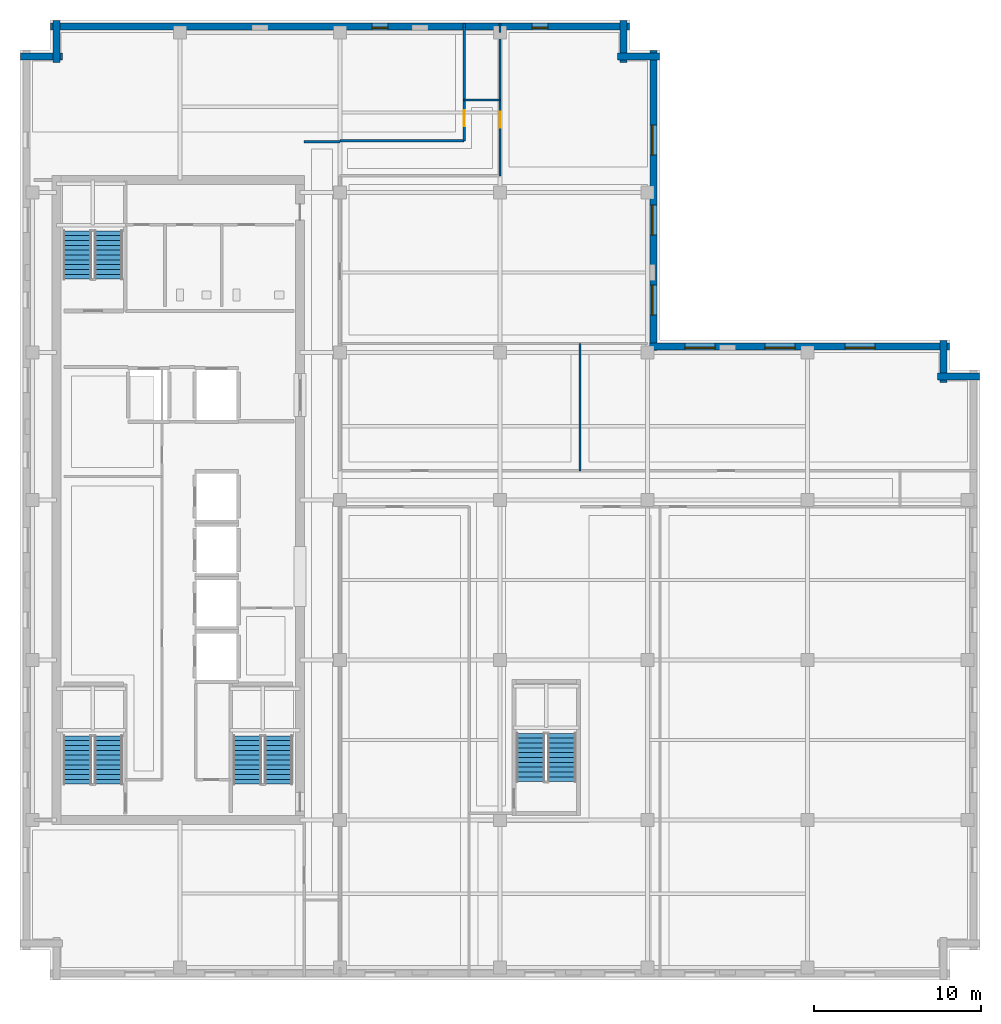
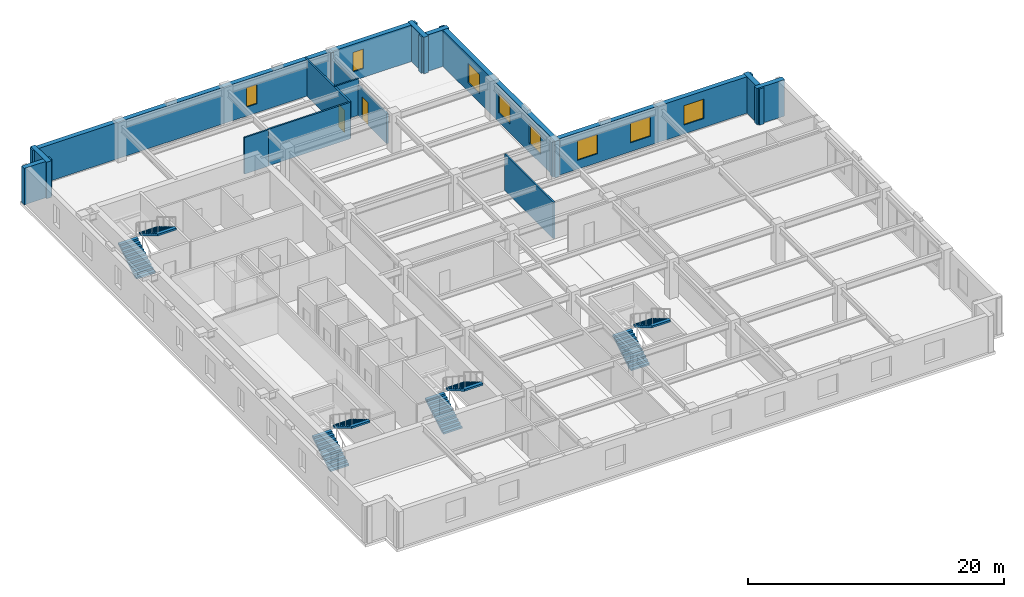
# One storey, part 6 of 11: 16 walls, 8 stair flights, 8 windows, 2 doors, 10 openings, 4 elements without a shape of their own.
"""IFC4 building model written with IfcOpenShell, lengths in metres."""

from ifc_helpers import new_model, si_unit, direction, frame, frame_2d, origin, place, context, subcontext, project, spatial, polyline, rectangle, outline, extrude, material, layer, layer_set, type_object, element, fill, aggregate, save


model = new_model("IFC4")

# Units and contexts
model_context = context("Model", 3, precision=1e-05, world=origin(), true_north=direction((0.0, 1.0)))
body_context = subcontext(model_context, "Body", "Model", "MODEL_VIEW")
ifc_project = project(units=[si_unit("LENGTHUNIT", "METRE"), si_unit("AREAUNIT", "SQUARE_METRE"), si_unit("VOLUMEUNIT", "CUBIC_METRE"), si_unit("PLANEANGLEUNIT", "RADIAN"), si_unit("MASSUNIT", "GRAM", prefix="KILO")], contexts=[model_context])

# Site, building, storey
site_placement = place(None, origin())
site = spatial("IfcSite", under=ifc_project, at=site_placement, CompositionType="ELEMENT")
building_placement = place(site_placement, origin())
building = spatial("IfcBuilding", under=site, at=building_placement, Name="Norrvale University Quadrangle", CompositionType="ELEMENT")
storey_placement = place(building_placement, frame((0.0, 0.0, 252.199951171875)))
storey = spatial("IfcBuildingStorey", under=building, at=storey_placement, Name="L64", CompositionType="ELEMENT", Elevation=252.199951171875)

# Walls
ifc_material_1 = material(Name="Buff Norman Clay Brick Masonry", Category="masonry")
ifc_layer_1 = layer(ifc_material_1, 0.419921875, Name="Buff Norman Clay Brick Masonry")
ifc_layer_set_1 = layer_set([ifc_layer_1], Name="Buff Norman Clay Brick Masonry")
wall_type_1 = type_object("IfcWallType", Name="Wall Buff Brick 420", PredefinedType="SOLIDWALL", material=ifc_layer_set_1)
for number, where, z_axis, x_axis, name in (
    (1, (57.56005859375, 36.2099609375, 0.0), (0.0, 0.0, 1.0), (-1.0, 0.0, 0.0), "Exterior Brick Facade Wall L64-05.1"),
    (2, (55.409912109375, 35.860107421875, 0.0), (0.0, 0.0, 1.0), (0.0, 1.0, 0.0), "Exterior Brick Facade Wall L64-06.1"),
):
    element("IfcWall", number, at=place(storey_placement, frame(where, z_axis=z_axis, x_axis=x_axis)), inside=storey, type_object=wall_type_1, Name=name, PredefinedType="SOLIDWALL", context=body_context, shape_type="SweptSolid", body=[
        extrude(rectangle(XDim=2.5, YDim=0.419921875, at=frame_2d((1.25, 0.0))), origin(), (0.0, 0.0, 1.0), 3.47998046875),
    ])

# Wall, openings, windows
wall_1_placement = place(storey_placement, frame((55.760009765625, 38.010009765625, 0.0), z_axis=(0.0, 0.0, 1.0), x_axis=(-1.0, 0.0, 0.0)))
wall_1 = element("IfcWall", 3, at=wall_1_placement, inside=storey, type_object=wall_type_1, Name="Exterior Brick Facade Wall L64-07.1", PredefinedType="SOLIDWALL", context=body_context, shape_type="SweptSolid", body=[
    extrude(rectangle(XDim=18.10009765625, YDim=0.419921875, at=frame_2d((9.050048828125, 0.0))), origin(), (0.0, 0.0, 1.0), 3.47998046875),
])
opening_1_placement = place(wall_1_placement, frame((4.4599609375, 0.0, 0.85009765625)))
opening_1 = element("IfcOpeningElement", 4, at=opening_1_placement, cuts=wall_1, Name="Opening W01", PredefinedType="OPENING", context=body_context, shape_type="SweptSolid", body=[
    extrude(rectangle(XDim=1.800048828125, YDim=1.85009765625, at=frame_2d((0.89990234375, 0.925048828125))), frame((0.0, 0.221923828125, 0.0), z_axis=(0.0, -1.0, 0.0), x_axis=(1.0, 0.0, 0.0)), (0.0, 0.0, 1.0), 0.44384765625),
])
opening_2_placement = place(wall_1_placement, frame((9.260009765625, 0.0, 0.85009765625)))
opening_2 = element("IfcOpeningElement", 5, at=opening_2_placement, cuts=wall_1, Name="Opening W01", PredefinedType="OPENING", context=body_context, shape_type="SweptSolid", body=[
    extrude(rectangle(XDim=1.800048828125, YDim=1.85009765625, at=frame_2d((0.89990234375, 0.925048828125))), frame((0.0, 0.221923828125, 0.0), z_axis=(0.0, -1.0, 0.0), x_axis=(1.0, 0.0, 0.0)), (0.0, 0.0, 1.0), 0.44384765625),
])
opening_3_placement = place(wall_1_placement, frame((14.06005859375, 0.0, 0.85009765625)))
opening_3 = element("IfcOpeningElement", 6, at=opening_3_placement, cuts=wall_1, Name="Opening W01", PredefinedType="OPENING", context=body_context, shape_type="SweptSolid", body=[
    extrude(rectangle(XDim=1.800048828125, YDim=1.85009765625, at=frame_2d((0.89990234375, 0.925048828125))), frame((0.0, 0.221923828125, 0.0), z_axis=(0.0, -1.0, 0.0), x_axis=(1.0, 0.0, 0.0)), (0.0, 0.0, 1.0), 0.44384765625),
])
ifc_material_2 = material(Name="Triple Low-E Argon Glazing", Category="glass")
window_type_1 = type_object("IfcWindowType", Name="Window Academic 1800x2300", PartitioningType="DOUBLE_PANEL_VERTICAL", PredefinedType="WINDOW", material=ifc_material_2)
window_1_placement = place(opening_1_placement, origin())
window_1 = element("IfcWindow", 7, at=window_1_placement, inside=storey, type_object=window_type_1, Name="Window Academic 1800x2300 WIN-L64-E07-1-01", OverallHeight=1.85009765625, OverallWidth=1.800048828125, PartitioningType="DOUBLE_PANEL_VERTICAL", PredefinedType="WINDOW", context=body_context, shape_type="SweptSolid", body=[
    extrude(rectangle(XDim=1.800048828125, YDim=1.85009765625, at=frame_2d((0.89990234375, 0.925048828125))), frame((0.0, 0.110107421875, 0.0), z_axis=(0.0, -1.0, 0.0), x_axis=(1.0, 0.0, 0.0)), (0.0, 0.0, 1.0), 0.06005859375),
])
fill(opening_1, window_1)
window_2_placement = place(opening_2_placement, origin())
window_2 = element("IfcWindow", 8, at=window_2_placement, inside=storey, type_object=window_type_1, Name="Window Academic 1800x2300 WIN-L64-E07-1-02", OverallHeight=1.85009765625, OverallWidth=1.800048828125, PartitioningType="DOUBLE_PANEL_VERTICAL", PredefinedType="WINDOW", context=body_context, shape_type="SweptSolid", body=[
    extrude(rectangle(XDim=1.800048828125, YDim=1.85009765625, at=frame_2d((0.89990234375, 0.925048828125))), frame((0.0, 0.110107421875, 0.0), z_axis=(0.0, -1.0, 0.0), x_axis=(1.0, 0.0, 0.0)), (0.0, 0.0, 1.0), 0.06005859375),
])
fill(opening_2, window_2)
window_3_placement = place(opening_3_placement, origin())
window_3 = element("IfcWindow", 9, at=window_3_placement, inside=storey, type_object=window_type_1, Name="Window Academic 1800x2300 WIN-L64-E07-1-03", OverallHeight=1.85009765625, OverallWidth=1.800048828125, PartitioningType="DOUBLE_PANEL_VERTICAL", PredefinedType="WINDOW", context=body_context, shape_type="SweptSolid", body=[
    extrude(rectangle(XDim=1.800048828125, YDim=1.85009765625, at=frame_2d((0.89990234375, 0.925048828125))), frame((0.0, 0.110107421875, 0.0), z_axis=(0.0, -1.0, 0.0), x_axis=(1.0, 0.0, 0.0)), (0.0, 0.0, 1.0), 0.06005859375),
])
fill(opening_3, window_3)

wall_2_placement = place(storey_placement, frame((38.010009765625, 37.659912109375, 0.0), z_axis=(0.0, 0.0, 1.0), x_axis=(0.0, 1.0, 0.0)))
wall_2 = element("IfcWall", 10, at=wall_2_placement, inside=storey, type_object=wall_type_1, Name="Exterior Brick Facade Wall L64-08.1", PredefinedType="SOLIDWALL", context=body_context, shape_type="SweptSolid", body=[
    extrude(rectangle(XDim=18.10009765625, YDim=0.419921875, at=frame_2d((9.050048828125, 0.0))), origin(), (0.0, 0.0, 1.0), 3.47998046875),
])
opening_4_placement = place(wall_2_placement, frame((2.239990234375, 0.0, 0.85009765625)))
opening_4 = element("IfcOpeningElement", 11, at=opening_4_placement, cuts=wall_2, Name="Opening W01", PredefinedType="OPENING", context=body_context, shape_type="SweptSolid", body=[
    extrude(rectangle(XDim=1.800048828125, YDim=1.85009765625, at=frame_2d((0.89990234375, 0.925048828125))), frame((0.0, 0.221923828125, 0.0), z_axis=(0.0, -1.0, 0.0), x_axis=(1.0, 0.0, 0.0)), (0.0, 0.0, 1.0), 0.44384765625),
])
opening_5_placement = place(wall_2_placement, frame((7.0400390625, 0.0, 0.85009765625)))
opening_5 = element("IfcOpeningElement", 12, at=opening_5_placement, cuts=wall_2, Name="Opening W01", PredefinedType="OPENING", context=body_context, shape_type="SweptSolid", body=[
    extrude(rectangle(XDim=1.800048828125, YDim=1.85009765625, at=frame_2d((0.89990234375, 0.925048828125))), frame((0.0, 0.221923828125, 0.0), z_axis=(0.0, -1.0, 0.0), x_axis=(1.0, 0.0, 0.0)), (0.0, 0.0, 1.0), 0.44384765625),
])
opening_6_placement = place(wall_2_placement, frame((11.840087890625, 0.0, 0.85009765625)))
opening_6 = element("IfcOpeningElement", 13, at=opening_6_placement, cuts=wall_2, Name="Opening W01", PredefinedType="OPENING", context=body_context, shape_type="SweptSolid", body=[
    extrude(rectangle(XDim=1.800048828125, YDim=1.85009765625, at=frame_2d((0.89990234375, 0.925048828125))), frame((0.0, 0.221923828125, 0.0), z_axis=(0.0, -1.0, 0.0), x_axis=(1.0, 0.0, 0.0)), (0.0, 0.0, 1.0), 0.44384765625),
])
window_4_placement = place(opening_4_placement, origin())
window_4 = element("IfcWindow", 14, at=window_4_placement, inside=storey, type_object=window_type_1, Name="Window Academic 1800x2300 WIN-L64-E08-1-01", OverallHeight=1.85009765625, OverallWidth=1.800048828125, PartitioningType="DOUBLE_PANEL_VERTICAL", PredefinedType="WINDOW", context=body_context, shape_type="SweptSolid", body=[
    extrude(rectangle(XDim=1.800048828125, YDim=1.85009765625, at=frame_2d((0.89990234375, 0.925048828125))), frame((0.0, 0.110107421875, 0.0), z_axis=(0.0, -1.0, 0.0), x_axis=(1.0, 0.0, 0.0)), (0.0, 0.0, 1.0), 0.06005859375),
])
fill(opening_4, window_4)
window_5_placement = place(opening_5_placement, origin())
window_5 = element("IfcWindow", 15, at=window_5_placement, inside=storey, type_object=window_type_1, Name="Window Academic 1800x2300 WIN-L64-E08-1-02", OverallHeight=1.85009765625, OverallWidth=1.800048828125, PartitioningType="DOUBLE_PANEL_VERTICAL", PredefinedType="WINDOW", context=body_context, shape_type="SweptSolid", body=[
    extrude(rectangle(XDim=1.800048828125, YDim=1.85009765625, at=frame_2d((0.89990234375, 0.925048828125))), frame((0.0, 0.110107421875, 0.0), z_axis=(0.0, -1.0, 0.0), x_axis=(1.0, 0.0, 0.0)), (0.0, 0.0, 1.0), 0.06005859375),
])
fill(opening_5, window_5)
window_6_placement = place(opening_6_placement, origin())
window_6 = element("IfcWindow", 16, at=window_6_placement, inside=storey, type_object=window_type_1, Name="Window Academic 1800x2300 WIN-L64-E08-1-03", OverallHeight=1.85009765625, OverallWidth=1.800048828125, PartitioningType="DOUBLE_PANEL_VERTICAL", PredefinedType="WINDOW", context=body_context, shape_type="SweptSolid", body=[
    extrude(rectangle(XDim=1.800048828125, YDim=1.85009765625, at=frame_2d((0.89990234375, 0.925048828125))), frame((0.0, 0.110107421875, 0.0), z_axis=(0.0, -1.0, 0.0), x_axis=(1.0, 0.0, 0.0)), (0.0, 0.0, 1.0), 0.06005859375),
])
fill(opening_6, window_6)

# Walls
for number, where, z_axis, x_axis, name in (
    (17, (38.360107421875, 55.409912109375, 0.0), (0.0, 0.0, 1.0), (-1.0, 0.0, 0.0), "Exterior Brick Facade Wall L64-09.1"),
    (18, (36.2099609375, 55.06005859375, 0.0), (0.0, 0.0, 1.0), (0.0, 1.0, 0.0), "Exterior Brick Facade Wall L64-10.1"),
):
    element("IfcWall", number, at=place(storey_placement, frame(where, z_axis=z_axis, x_axis=x_axis)), inside=storey, type_object=wall_type_1, Name=name, PredefinedType="SOLIDWALL", context=body_context, shape_type="SweptSolid", body=[
        extrude(rectangle(XDim=2.5, YDim=0.419921875, at=frame_2d((1.25, 0.0))), origin(), (0.0, 0.0, 1.0), 3.47998046875),
    ])

# Wall, openings, windows
wall_3_placement = place(storey_placement, frame((36.56005859375, 57.2099609375, 0.0), z_axis=(0.0, 0.0, 1.0), x_axis=(-1.0, 0.0, 0.0)))
wall_3 = element("IfcWall", 19, at=wall_3_placement, inside=storey, type_object=wall_type_1, Name="Exterior Brick Facade Wall L64-11.1", PredefinedType="SOLIDWALL", context=body_context, shape_type="SweptSolid", body=[
    extrude(rectangle(XDim=34.719970703125, YDim=0.419921875, at=frame_2d((17.35986328125, 0.0))), origin(), (0.0, 0.0, 1.0), 3.47998046875),
])
opening_7_placement = place(wall_3_placement, frame((4.885009765625, 0.0, 0.85009765625)))
opening_7 = element("IfcOpeningElement", 20, at=opening_7_placement, cuts=wall_3, Name="Opening W04", PredefinedType="OPENING", context=body_context, shape_type="SweptSolid", body=[
    extrude(rectangle(XDim=0.949951171875, YDim=1.85009765625, at=frame_2d((0.47509765625, 0.925048828125))), frame((0.0, 0.221923828125, 0.0), z_axis=(0.0, -1.0, 0.0), x_axis=(1.0, 0.0, 0.0)), (0.0, 0.0, 1.0), 0.44384765625),
])
opening_8_placement = place(wall_3_placement, frame((14.485107421875, 0.0, 0.85009765625)))
opening_8 = element("IfcOpeningElement", 21, at=opening_8_placement, cuts=wall_3, Name="Opening W04", PredefinedType="OPENING", context=body_context, shape_type="SweptSolid", body=[
    extrude(rectangle(XDim=0.949951171875, YDim=1.85009765625, at=frame_2d((0.47509765625, 0.925048828125))), frame((0.0, 0.221923828125, 0.0), z_axis=(0.0, -1.0, 0.0), x_axis=(1.0, 0.0, 0.0)), (0.0, 0.0, 1.0), 0.44384765625),
])
window_type_2 = type_object("IfcWindowType", Name="Window Narrow Pier 950x2300", PartitioningType="SINGLE_PANEL", PredefinedType="WINDOW", material=ifc_material_2)
window_7_placement = place(opening_7_placement, origin())
window_7 = element("IfcWindow", 22, at=window_7_placement, inside=storey, type_object=window_type_2, Name="Window Narrow Pier 950x2300 WIN-L64-E11-1-01", OverallHeight=1.85009765625, OverallWidth=0.949951171875, PartitioningType="SINGLE_PANEL", PredefinedType="WINDOW", context=body_context, shape_type="SweptSolid", body=[
    extrude(rectangle(XDim=0.949951171875, YDim=1.85009765625, at=frame_2d((0.47509765625, 0.925048828125))), frame((0.0, 0.110107421875, 0.0), z_axis=(0.0, -1.0, 0.0), x_axis=(1.0, 0.0, 0.0)), (0.0, 0.0, 1.0), 0.06005859375),
])
fill(opening_7, window_7)
window_8_placement = place(opening_8_placement, origin())
window_8 = element("IfcWindow", 23, at=window_8_placement, inside=storey, type_object=window_type_2, Name="Window Narrow Pier 950x2300 WIN-L64-E11-1-02", OverallHeight=1.85009765625, OverallWidth=0.949951171875, PartitioningType="SINGLE_PANEL", PredefinedType="WINDOW", context=body_context, shape_type="SweptSolid", body=[
    extrude(rectangle(XDim=0.949951171875, YDim=1.85009765625, at=frame_2d((0.47509765625, 0.925048828125))), frame((0.0, 0.110107421875, 0.0), z_axis=(0.0, -1.0, 0.0), x_axis=(1.0, 0.0, 0.0)), (0.0, 0.0, 1.0), 0.06005859375),
])
fill(opening_8, window_8)

# Walls
for number, where, z_axis, x_axis, name in (
    (24, (2.18994140625, 57.56005859375, 0.0), (0.0, 0.0, 1.0), (0.0, -1.0, 0.0), "Exterior Brick Facade Wall L64-12.1"),
    (25, (2.5400390625, 55.409912109375, 0.0), (0.0, 0.0, 1.0), (-1.0, 0.0, 0.0), "Exterior Brick Facade Wall L64-13.1"),
):
    element("IfcWall", number, at=place(storey_placement, frame(where, z_axis=z_axis, x_axis=x_axis)), inside=storey, type_object=wall_type_1, Name=name, PredefinedType="SOLIDWALL", context=body_context, shape_type="SweptSolid", body=[
        extrude(rectangle(XDim=2.5, YDim=0.419921875, at=frame_2d((1.25, 0.0))), origin(), (0.0, 0.0, 1.0), 3.47998046875),
    ])
ifc_material_3 = material(Name="Fire-Rated Gypsum Stud Partition")
ifc_layer_2 = layer(ifc_material_3, 0.14990234375, Name="Fire-Rated Gypsum Stud Partition")
ifc_layer_set_2 = layer_set([ifc_layer_2], Name="Fire-Rated Gypsum Stud Partition")
wall_type_2 = type_object("IfcWallType", Name="Wall Gypsum Corridor 150", PredefinedType="PARTITIONING", material=ifc_layer_set_2)
wall_4_placement = place(storey_placement, frame((17.050048828125, 50.300048828125, 0.0), z_axis=(0.0, 0.0, 1.0), x_axis=(1.0, 0.0, 0.0)))
element("IfcWall", 26, at=wall_4_placement, inside=storey, type_object=wall_type_2, Name="Interior Partition WL-L64-CSP-N", PredefinedType="PARTITIONING", context=body_context, shape_type="SweptSolid", body=[
    extrude(rectangle(XDim=2.14990234375, YDim=0.14990234375, at=frame_2d((1.074951171875, 0.0))), origin(), (0.0, 0.0, 1.0), 3.47998046875),
])
wall_5_placement = place(storey_placement, frame((33.60009765625, 30.550048828125, 0.0), z_axis=(0.0, 0.0, 1.0), x_axis=(0.0, 1.0, 0.0)))
element("IfcWall", 27, at=wall_5_placement, inside=storey, type_object=wall_type_2, Name="Interior Partition WL-L64-MEP01", PredefinedType="PARTITIONING", context=body_context, shape_type="SweptSolid", body=[
    extrude(rectangle(XDim=7.6298828125, YDim=0.14990234375, at=frame_2d((3.81494140625, 0.0))), origin(), (0.0, 0.0, 1.0), 3.47998046875),
])
wall_6_placement = place(storey_placement, frame((19.199951171875, 50.35009765625, 0.0), z_axis=(0.0, 0.0, 1.0), x_axis=(1.0, 0.0, 0.0)))
element("IfcWall", 28, at=wall_6_placement, inside=storey, type_object=wall_type_2, Name="Interior Partition WL-L64-JOGN", PredefinedType="PARTITIONING", context=body_context, shape_type="SweptSolid", body=[
    extrude(rectangle(XDim=7.449951171875, YDim=0.14990234375, at=frame_2d((3.72509765625, 0.0))), origin(), (0.0, 0.0, 1.0), 3.47998046875),
])
wall_7_placement = place(storey_placement, frame((26.64990234375, 52.800048828125, 0.0), z_axis=(0.0, 0.0, 1.0), x_axis=(1.0, 0.0, 0.0)))
element("IfcWall", 29, at=wall_7_placement, inside=storey, type_object=wall_type_2, Name="Interior Partition WL-L64-JOGEND", PredefinedType="PARTITIONING", context=body_context, shape_type="SweptSolid", body=[
    extrude(rectangle(XDim=2.150146484375, YDim=0.14990234375, at=frame_2d((1.0751953125, 0.0))), origin(), (0.0, 0.0, 1.0), 3.47998046875),
])

# Wall, opening, door
wall_8_placement = place(storey_placement, frame((28.800048828125, 48.25, 0.0), z_axis=(0.0, 0.0, 1.0), x_axis=(0.0, 1.0, 0.0)))
wall_8 = element("IfcWall", 30, at=wall_8_placement, inside=storey, type_object=wall_type_2, Name="Interior Partition WL-L64-NECW", PredefinedType="PARTITIONING", context=body_context, shape_type="SweptSolid", body=[
    extrude(rectangle(XDim=8.60009765625, YDim=0.14990234375, at=frame_2d((4.300048828125, 0.0))), origin(), (0.0, 0.0, 1.0), 2.863037109375),
])
opening_9_placement = place(wall_8_placement, frame((2.89990234375, 0.0, 0.0)))
opening_9 = element("IfcOpeningElement", 31, at=opening_9_placement, cuts=wall_8, Name="Opening D07", PredefinedType="OPENING", context=body_context, shape_type="SweptSolid", body=[
    extrude(rectangle(XDim=0.949951171875, YDim=2.14990234375, at=frame_2d((0.47509765625, 1.074951171875))), frame((0.0, 0.0869140625, 0.0), z_axis=(0.0, -1.0, 0.0), x_axis=(1.0, 0.0, 0.0)), (0.0, 0.0, 1.0), 0.173828125),
])
ifc_material_4 = material(Name="Solid-Core Maple Door", Category="wood")
door_type = type_object("IfcDoorType", Name="Door Office 950x2150", OperationType="NOTDEFINED", PredefinedType="DOOR", material=ifc_material_4)
door_1_placement = place(opening_9_placement, origin())
door_1 = element("IfcDoor", 32, at=door_1_placement, inside=storey, type_object=door_type, Name="Door Office 950x2150 DR-L64-NE01", OperationType="SINGLE_SWING_RIGHT", OverallHeight=2.14990234375, OverallWidth=0.949951171875, PredefinedType="DOOR", context=body_context, shape_type="SweptSolid", body=[
    extrude(rectangle(XDim=0.949951171875, YDim=2.14990234375, at=frame_2d((0.47509765625, 1.074951171875))), frame((0.0, 0.02490234375, 0.0), z_axis=(0.0, -1.0, 0.0), x_axis=(1.0, 0.0, 0.0)), (0.0, 0.0, 1.0), 0.050048828125),
])
fill(opening_9, door_1)

# Wall
wall_9_placement = place(storey_placement, frame((28.800048828125, 56.85009765625, 0.0), z_axis=(0.0, 0.0, 1.0), x_axis=(0.0, 1.0, 0.0)))
element("IfcWall", 33, at=wall_9_placement, inside=storey, type_object=wall_type_2, Name="Interior Partition WL-L64-NECW-B2", PredefinedType="PARTITIONING", context=body_context, shape_type="SweptSolid", body=[
    extrude(rectangle(XDim=0.52978515625, YDim=0.14990234375, at=frame_2d((0.264892578125, 0.0))), origin(), (0.0, 0.0, 1.0), 3.47998046875),
])

# Wall, opening, door
wall_10_placement = place(storey_placement, frame((26.64990234375, 50.35009765625, 0.0), z_axis=(0.0, 0.0, 1.0), x_axis=(0.0, 1.0, 0.0)))
wall_10 = element("IfcWall", 34, at=wall_10_placement, inside=storey, type_object=wall_type_2, Name="Interior Partition WL-L64-NWCW", PredefinedType="PARTITIONING", context=body_context, shape_type="SweptSolid", body=[
    extrude(rectangle(XDim=7.02978515625, YDim=0.14990234375, at=frame_2d((3.514892578125, 0.0))), origin(), (0.0, 0.0, 1.0), 3.47998046875),
])
opening_10_placement = place(wall_10_placement, frame((0.875, 0.0, 0.0)))
opening_10 = element("IfcOpeningElement", 35, at=opening_10_placement, cuts=wall_10, Name="Opening D07", PredefinedType="OPENING", context=body_context, shape_type="SweptSolid", body=[
    extrude(rectangle(XDim=0.949951171875, YDim=2.14990234375, at=frame_2d((0.47509765625, 1.074951171875))), frame((0.0, 0.0869140625, 0.0), z_axis=(0.0, -1.0, 0.0), x_axis=(1.0, 0.0, 0.0)), (0.0, 0.0, 1.0), 0.173828125),
])
door_2_placement = place(opening_10_placement, origin())
door_2 = element("IfcDoor", 36, at=door_2_placement, inside=storey, type_object=door_type, Name="Door Office 950x2150 DR-L64-NW01", OperationType="SINGLE_SWING_RIGHT", OverallHeight=2.14990234375, OverallWidth=0.949951171875, PredefinedType="DOOR", context=body_context, shape_type="SweptSolid", body=[
    extrude(rectangle(XDim=0.949951171875, YDim=2.14990234375, at=frame_2d((0.47509765625, 1.074951171875))), frame((0.0, 0.02490234375, 0.0), z_axis=(0.0, -1.0, 0.0), x_axis=(1.0, 0.0, 0.0)), (0.0, 0.0, 1.0), 0.050048828125),
])
fill(opening_10, door_2)

# Stair, stair flights
ifc_material_5 = material(Name="Concrete C40/50", Category="concrete")
stair_type = type_object("IfcStairType", Name="Stair Tower Typ 3800", PredefinedType="TWO_STRAIGHT_RUN_STAIR", material=ifc_material_5)
stair_1_placement = place(storey_placement, origin())
stair_1 = element("IfcStair", 37, at=stair_1_placement, inside=storey, type_object=stair_type, Name="Exit Stair ST-01 L64", PredefinedType="TWO_STRAIGHT_RUN_STAIR")
stair_flight_type = type_object("IfcStairFlightType", Name="Flight Typ 1500", PredefinedType="STRAIGHT", material=ifc_material_5)
stair_flight_1_placement = place(storey_placement, frame((3.429931640625, 11.75, 0.0), z_axis=(0.0, 0.0, 1.0), x_axis=(0.0, 1.0, 0.0)))
stair_flight_1 = element("IfcStairFlight", 38, at=stair_flight_1_placement, type_object=stair_flight_type, Name="Exit Stair ST-01 L64 Lower Flight", NumberOfRisers=11, NumberOfTreads=10, PredefinedType="STRAIGHT", RiserHeight=0.172727, TreadLength=0.29, context=body_context, shape_type="SweptSolid", body=[
    extrude(outline(polyline([(0.0, 0.0), (0.0, 0.172607421875), (0.2900390625, 0.172607421875), (0.2900390625, 0.345458984375), (0.580078125, 0.345458984375), (0.580078125, 0.51806640625), (0.8701171875, 0.51806640625), (0.8701171875, 0.69091796875), (1.159912109375, 0.69091796875), (1.159912109375, 0.863525390625), (1.449951171875, 0.863525390625), (1.449951171875, 1.036376953125), (1.739990234375, 1.036376953125), (1.739990234375, 1.208984375), (2.030029296875, 1.208984375), (2.030029296875, 1.3818359375), (2.320068359375, 1.3818359375), (2.320068359375, 1.554443359375), (2.610107421875, 1.554443359375), (2.610107421875, 1.727294921875), (2.89990234375, 1.727294921875), (2.89990234375, 1.89990234375), (2.89990234375, 1.552734375), (0.29296875, 0.0), (0.0, 0.0)])), frame((0.0, 0.83984375, 0.0), z_axis=(0.0, -1.0, 0.0), x_axis=(1.0, 0.0, 0.0)), (0.0, 0.0, 1.0), 1.679931640625),
])
stair_flight_2_placement = place(storey_placement, frame((5.320068359375, 14.64990234375, 1.900146484375), z_axis=(0.0, 0.0, 1.0), x_axis=(0.0, -1.0, 0.0)))
stair_flight_2 = element("IfcStairFlight", 39, at=stair_flight_2_placement, type_object=stair_flight_type, Name="Exit Stair ST-01 L64 Upper Flight", NumberOfRisers=11, NumberOfTreads=10, PredefinedType="STRAIGHT", RiserHeight=0.172727, TreadLength=0.29, context=body_context, shape_type="SweptSolid", body=[
    extrude(outline(polyline([(0.0, 0.0), (0.0, 0.172607421875), (0.2900390625, 0.172607421875), (0.2900390625, 0.345458984375), (0.580078125, 0.345458984375), (0.580078125, 0.51806640625), (0.8701171875, 0.51806640625), (0.8701171875, 0.69091796875), (1.159912109375, 0.69091796875), (1.159912109375, 0.863525390625), (1.449951171875, 0.863525390625), (1.449951171875, 1.036376953125), (1.739990234375, 1.036376953125), (1.739990234375, 1.208984375), (2.030029296875, 1.208984375), (2.030029296875, 1.3818359375), (2.320068359375, 1.3818359375), (2.320068359375, 1.554443359375), (2.610107421875, 1.554443359375), (2.610107421875, 1.727294921875), (2.89990234375, 1.727294921875), (2.89990234375, 1.89990234375), (2.89990234375, 1.552734375), (0.29296875, 0.0), (0.0, 0.0)])), frame((0.0, 0.83984375, 0.0), z_axis=(0.0, -1.0, 0.0), x_axis=(1.0, 0.0, 0.0)), (0.0, 0.0, 1.0), 1.679931640625),
])
aggregate(stair_1, [stair_flight_1, stair_flight_2])

stair_2_placement = place(storey_placement, origin())
stair_2 = element("IfcStair", 40, at=stair_2_placement, inside=storey, type_object=stair_type, Name="Exit Stair ST-02 L64", PredefinedType="TWO_STRAIGHT_RUN_STAIR")
stair_flight_3_placement = place(storey_placement, frame((3.429931640625, 42.050048828125, 0.0), z_axis=(0.0, 0.0, 1.0), x_axis=(0.0, 1.0, 0.0)))
stair_flight_3 = element("IfcStairFlight", 41, at=stair_flight_3_placement, type_object=stair_flight_type, Name="Exit Stair ST-02 L64 Lower Flight", NumberOfRisers=11, NumberOfTreads=10, PredefinedType="STRAIGHT", RiserHeight=0.172727, TreadLength=0.29, context=body_context, shape_type="SweptSolid", body=[
    extrude(outline(polyline([(0.0, 0.0), (0.0, 0.172607421875), (0.2900390625, 0.172607421875), (0.2900390625, 0.345458984375), (0.580078125, 0.345458984375), (0.580078125, 0.51806640625), (0.8701171875, 0.51806640625), (0.8701171875, 0.69091796875), (1.159912109375, 0.69091796875), (1.159912109375, 0.863525390625), (1.449951171875, 0.863525390625), (1.449951171875, 1.036376953125), (1.739990234375, 1.036376953125), (1.739990234375, 1.208984375), (2.030029296875, 1.208984375), (2.030029296875, 1.3818359375), (2.320068359375, 1.3818359375), (2.320068359375, 1.554443359375), (2.610107421875, 1.554443359375), (2.610107421875, 1.727294921875), (2.89990234375, 1.727294921875), (2.89990234375, 1.89990234375), (2.89990234375, 1.552734375), (0.29296875, 0.0), (0.0, 0.0)])), frame((0.0, 0.83984375, 0.0), z_axis=(0.0, -1.0, 0.0), x_axis=(1.0, 0.0, 0.0)), (0.0, 0.0, 1.0), 1.679931640625),
])
stair_flight_4_placement = place(storey_placement, frame((5.320068359375, 44.949951171875, 1.900146484375), z_axis=(0.0, 0.0, 1.0), x_axis=(0.0, -1.0, 0.0)))
stair_flight_4 = element("IfcStairFlight", 42, at=stair_flight_4_placement, type_object=stair_flight_type, Name="Exit Stair ST-02 L64 Upper Flight", NumberOfRisers=11, NumberOfTreads=10, PredefinedType="STRAIGHT", RiserHeight=0.172727, TreadLength=0.29, context=body_context, shape_type="SweptSolid", body=[
    extrude(outline(polyline([(0.0, 0.0), (0.0, 0.172607421875), (0.2900390625, 0.172607421875), (0.2900390625, 0.345458984375), (0.580078125, 0.345458984375), (0.580078125, 0.51806640625), (0.8701171875, 0.51806640625), (0.8701171875, 0.69091796875), (1.159912109375, 0.69091796875), (1.159912109375, 0.863525390625), (1.449951171875, 0.863525390625), (1.449951171875, 1.036376953125), (1.739990234375, 1.036376953125), (1.739990234375, 1.208984375), (2.030029296875, 1.208984375), (2.030029296875, 1.3818359375), (2.320068359375, 1.3818359375), (2.320068359375, 1.554443359375), (2.610107421875, 1.554443359375), (2.610107421875, 1.727294921875), (2.89990234375, 1.727294921875), (2.89990234375, 1.89990234375), (2.89990234375, 1.552734375), (0.29296875, 0.0), (0.0, 0.0)])), frame((0.0, 0.83984375, 0.0), z_axis=(0.0, -1.0, 0.0), x_axis=(1.0, 0.0, 0.0)), (0.0, 0.0, 1.0), 1.679931640625),
])
aggregate(stair_2, [stair_flight_3, stair_flight_4])

stair_3_placement = place(storey_placement, origin())
stair_3 = element("IfcStair", 43, at=stair_3_placement, inside=storey, type_object=stair_type, Name="Exit Stair ST-03 L64", PredefinedType="TWO_STRAIGHT_RUN_STAIR")
stair_flight_5_placement = place(storey_placement, frame((13.6298828125, 11.75, 0.0), z_axis=(0.0, 0.0, 1.0), x_axis=(0.0, 1.0, 0.0)))
stair_flight_5 = element("IfcStairFlight", 44, at=stair_flight_5_placement, type_object=stair_flight_type, Name="Exit Stair ST-03 L64 Lower Flight", NumberOfRisers=11, NumberOfTreads=10, PredefinedType="STRAIGHT", RiserHeight=0.172727, TreadLength=0.29, context=body_context, shape_type="SweptSolid", body=[
    extrude(outline(polyline([(0.0, 0.0), (0.0, 0.172607421875), (0.2900390625, 0.172607421875), (0.2900390625, 0.345458984375), (0.580078125, 0.345458984375), (0.580078125, 0.51806640625), (0.8701171875, 0.51806640625), (0.8701171875, 0.69091796875), (1.159912109375, 0.69091796875), (1.159912109375, 0.863525390625), (1.449951171875, 0.863525390625), (1.449951171875, 1.036376953125), (1.739990234375, 1.036376953125), (1.739990234375, 1.208984375), (2.030029296875, 1.208984375), (2.030029296875, 1.3818359375), (2.320068359375, 1.3818359375), (2.320068359375, 1.554443359375), (2.610107421875, 1.554443359375), (2.610107421875, 1.727294921875), (2.89990234375, 1.727294921875), (2.89990234375, 1.89990234375), (2.89990234375, 1.552734375), (0.29296875, 0.0), (0.0, 0.0)])), frame((0.0, 0.83984375, 0.0), z_axis=(0.0, -1.0, 0.0), x_axis=(1.0, 0.0, 0.0)), (0.0, 0.0, 1.0), 1.679931640625),
])
stair_flight_6_placement = place(storey_placement, frame((15.52001953125, 14.64990234375, 1.900146484375), z_axis=(0.0, 0.0, 1.0), x_axis=(0.0, -1.0, 0.0)))
stair_flight_6 = element("IfcStairFlight", 45, at=stair_flight_6_placement, type_object=stair_flight_type, Name="Exit Stair ST-03 L64 Upper Flight", NumberOfRisers=11, NumberOfTreads=10, PredefinedType="STRAIGHT", RiserHeight=0.172727, TreadLength=0.29, context=body_context, shape_type="SweptSolid", body=[
    extrude(outline(polyline([(0.0, 0.0), (0.0, 0.172607421875), (0.2900390625, 0.172607421875), (0.2900390625, 0.345458984375), (0.580078125, 0.345458984375), (0.580078125, 0.51806640625), (0.8701171875, 0.51806640625), (0.8701171875, 0.69091796875), (1.159912109375, 0.69091796875), (1.159912109375, 0.863525390625), (1.449951171875, 0.863525390625), (1.449951171875, 1.036376953125), (1.739990234375, 1.036376953125), (1.739990234375, 1.208984375), (2.030029296875, 1.208984375), (2.030029296875, 1.3818359375), (2.320068359375, 1.3818359375), (2.320068359375, 1.554443359375), (2.610107421875, 1.554443359375), (2.610107421875, 1.727294921875), (2.89990234375, 1.727294921875), (2.89990234375, 1.89990234375), (2.89990234375, 1.552734375), (0.29296875, 0.0), (0.0, 0.0)])), frame((0.0, 0.83984375, 0.0), z_axis=(0.0, -1.0, 0.0), x_axis=(1.0, 0.0, 0.0)), (0.0, 0.0, 1.0), 1.679931640625),
])
aggregate(stair_3, [stair_flight_5, stair_flight_6])

stair_4_placement = place(storey_placement, origin())
stair_4 = element("IfcStair", 46, at=stair_4_placement, inside=storey, type_object=stair_type, Name="Exit Stair ST-04 L64", PredefinedType="TWO_STRAIGHT_RUN_STAIR")
stair_flight_7_placement = place(storey_placement, frame((30.6298828125, 11.89990234375, 0.0), z_axis=(0.0, 0.0, 1.0), x_axis=(0.0, 1.0, 0.0)))
stair_flight_7 = element("IfcStairFlight", 47, at=stair_flight_7_placement, type_object=stair_flight_type, Name="Exit Stair ST-04 L64 Lower Flight", NumberOfRisers=11, NumberOfTreads=10, PredefinedType="STRAIGHT", RiserHeight=0.172727, TreadLength=0.29, context=body_context, shape_type="SweptSolid", body=[
    extrude(outline(polyline([(0.0, 0.0), (0.0, 0.172607421875), (0.2900390625, 0.172607421875), (0.2900390625, 0.345458984375), (0.580078125, 0.345458984375), (0.580078125, 0.51806640625), (0.8701171875, 0.51806640625), (0.8701171875, 0.69091796875), (1.159912109375, 0.69091796875), (1.159912109375, 0.863525390625), (1.449951171875, 0.863525390625), (1.449951171875, 1.036376953125), (1.739990234375, 1.036376953125), (1.739990234375, 1.208984375), (2.030029296875, 1.208984375), (2.030029296875, 1.3818359375), (2.320068359375, 1.3818359375), (2.320068359375, 1.554443359375), (2.610107421875, 1.554443359375), (2.610107421875, 1.727294921875), (2.89990234375, 1.727294921875), (2.89990234375, 1.89990234375), (2.89990234375, 1.552734375), (0.29296875, 0.0), (0.0, 0.0)])), frame((0.0, 0.83984375, 0.0), z_axis=(0.0, -1.0, 0.0), x_axis=(1.0, 0.0, 0.0)), (0.0, 0.0, 1.0), 1.679931640625),
])
stair_flight_8_placement = place(storey_placement, frame((32.52001953125, 14.800048828125, 1.900146484375), z_axis=(0.0, 0.0, 1.0), x_axis=(0.0, -1.0, 0.0)))
stair_flight_8 = element("IfcStairFlight", 48, at=stair_flight_8_placement, type_object=stair_flight_type, Name="Exit Stair ST-04 L64 Upper Flight", NumberOfRisers=11, NumberOfTreads=10, PredefinedType="STRAIGHT", RiserHeight=0.172727, TreadLength=0.29, context=body_context, shape_type="SweptSolid", body=[
    extrude(outline(polyline([(0.0, 0.0), (0.0, 0.172607421875), (0.2900390625, 0.172607421875), (0.2900390625, 0.345458984375), (0.580078125, 0.345458984375), (0.580078125, 0.51806640625), (0.8701171875, 0.51806640625), (0.8701171875, 0.69091796875), (1.159912109375, 0.69091796875), (1.159912109375, 0.863525390625), (1.449951171875, 0.863525390625), (1.449951171875, 1.036376953125), (1.739990234375, 1.036376953125), (1.739990234375, 1.208984375), (2.030029296875, 1.208984375), (2.030029296875, 1.3818359375), (2.320068359375, 1.3818359375), (2.320068359375, 1.554443359375), (2.610107421875, 1.554443359375), (2.610107421875, 1.727294921875), (2.89990234375, 1.727294921875), (2.89990234375, 1.89990234375), (2.89990234375, 1.552734375), (0.29296875, 0.0), (0.0, 0.0)])), frame((0.0, 0.83984375, 0.0), z_axis=(0.0, -1.0, 0.0), x_axis=(1.0, 0.0, 0.0)), (0.0, 0.0, 1.0), 1.679931640625),
])
aggregate(stair_4, [stair_flight_7, stair_flight_8])

save(model, "model.ifc")
